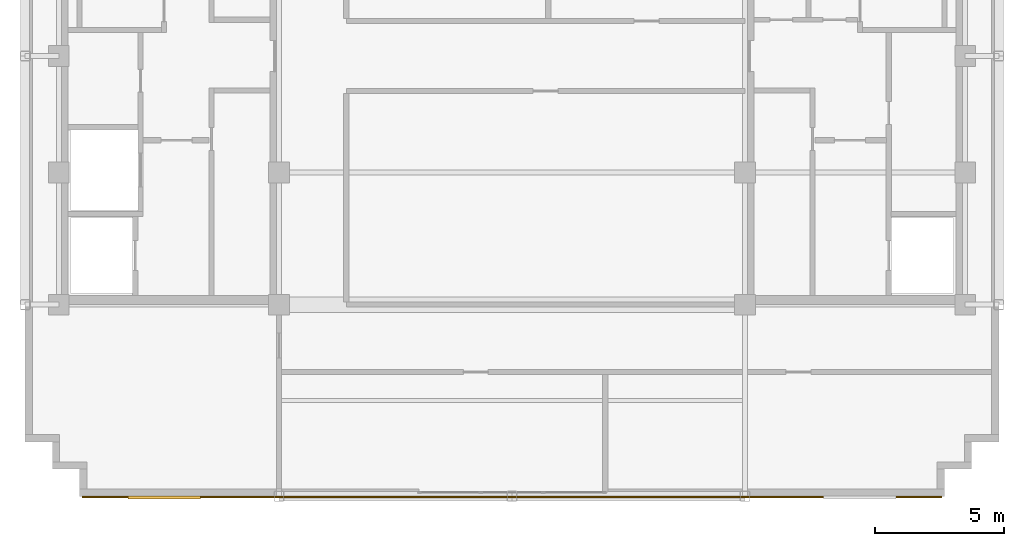
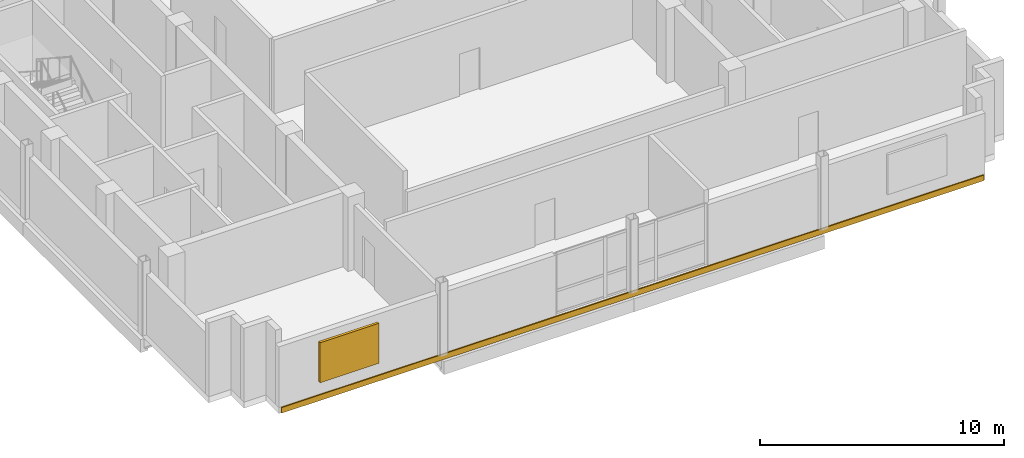
# One storey, part 7 of 10: 1 covering, 1 shading device.
"""IFC4 building model written with IfcOpenShell, lengths in metres."""

import ifcopenshell
import ifcopenshell.guid

model = None  # the IFC model being written
_history = None  # IfcOwnerHistory: only IFC2X3 demands one
_inside = {}  # id of a spatial element -> (the spatial element, [elements in it])
_under = {}  # id of a project, library or spatial element -> (it, [spatial elements below it])
_declared = {}  # id of a project -> (the project, [libraries it declares])
_typed = {}  # id of a type object -> (the type object, [elements of that type])
_made_of = {}  # id of a material, layer set ... -> (it, [elements and type objects made of it])


def new_model(schema):
    """Start an empty IFC model of exactly this schema.

    Asked for "IFC4X3", IfcOpenShell would pick the latest addendum, in which some entities
    have other attributes; the version numbers below select the first issue.
    IFC2X3 requires an IfcOwnerHistory on every rooted entity: one is made here for all.
    """
    global model, _history
    if schema == "IFC4X3":
        model = ifcopenshell.file(schema_version=(4, 3, 0, 0))
    else:
        model = ifcopenshell.file(schema=schema)
    _inside.clear()
    _under.clear()
    _declared.clear()
    _typed.clear()
    _made_of.clear()
    _history = None
    if model.schema == "IFC2X3":
        org = make("IfcOrganization", Name="unknown")
        user = make(
            "IfcPersonAndOrganization",
            ThePerson=make("IfcPerson", FamilyName="unknown"),
            TheOrganization=org,
        )
        app = make(
            "IfcApplication",
            ApplicationDeveloper=org,
            Version="unknown",
            ApplicationFullName="unknown",
            ApplicationIdentifier="unknown",
        )
        _history = make(
            "IfcOwnerHistory",
            OwningUser=user,
            OwningApplication=app,
            ChangeAction="ADDED",
            CreationDate=0,
        )
    return model


def make(cls, **values):
    """One entity of the class cls with the attributes given. An attribute that is None is left unset."""
    return model.create_entity(
        cls, **{name: value for name, value in values.items() if value is not None}
    )


def rooted(cls, **values):
    """An entity with a GlobalId (a new one), such as an element, a storey or a relation."""
    return make(cls, GlobalId=ifcopenshell.guid.new(), OwnerHistory=_history, **values)


def si_unit(unit_type, name, prefix=None):
    """IfcSIUnit, for example si_unit("LENGTHUNIT", "METRE", prefix="MILLI")."""
    return make("IfcSIUnit", UnitType=unit_type, Prefix=prefix, Name=name)


def assignment(units):
    """IfcUnitAssignment: the units of a project."""
    return None if units is None else make("IfcUnitAssignment", Units=units)


def point(xyz):
    """IfcCartesianPoint."""
    return None if xyz is None else make("IfcCartesianPoint", Coordinates=xyz)


def direction(xyz):
    """IfcDirection."""
    return None if xyz is None else make("IfcDirection", DirectionRatios=xyz)


def frame(location, z_axis=None, x_axis=None):
    """IfcAxis2Placement3D, a coordinate frame: its origin and axes. An axis left out is left unset."""
    return make(
        "IfcAxis2Placement3D",
        Location=point(location),
        Axis=direction(z_axis),
        RefDirection=direction(x_axis),
    )


def frame_2d(location, x_axis=None):
    """IfcAxis2Placement2D, a coordinate frame in the plane: its origin and x axis."""
    return make(
        "IfcAxis2Placement2D", Location=point(location), RefDirection=direction(x_axis)
    )


def origin():
    """The frame at (0, 0, 0) with its axes left unset."""
    return frame((0.0, 0.0, 0.0))


def origin_2d():
    """The frame at (0, 0) in the plane with its x axis left unset."""
    return frame_2d((0.0, 0.0))


def place(relative_to, where):
    """IfcLocalPlacement: puts the frame where relative to a parent placement (None: the world)."""
    return make(
        "IfcLocalPlacement", PlacementRelTo=relative_to, RelativePlacement=where
    )


def context(
    kind, dimensions, precision=None, world=None, true_north=None, identifier=None
):
    """IfcGeometricRepresentationContext, for example the 3D "Model" context."""
    return make(
        "IfcGeometricRepresentationContext",
        ContextIdentifier=identifier,
        ContextType=kind,
        CoordinateSpaceDimension=dimensions,
        Precision=precision,
        WorldCoordinateSystem=world,
        TrueNorth=true_north,
    )


def subcontext(parent, identifier, kind, view, scale=None):
    """IfcGeometricRepresentationSubContext, for example "Body" below "Model"."""
    return make(
        "IfcGeometricRepresentationSubContext",
        ContextIdentifier=identifier,
        ContextType=kind,
        ParentContext=parent,
        TargetScale=scale,
        TargetView=view,
    )


def project(units=None, contexts=None):
    """IfcProject with its units and contexts."""
    return rooted(
        "IfcProject",
        Name="project",
        RepresentationContexts=contexts,
        UnitsInContext=assignment(units),
    )


def spatial(cls, under=None, at=None, **own):
    """A site, building, storey or space (cls), placed at a placement, below another one or the project."""
    s = rooted(cls, ObjectPlacement=at, **own)
    if under is not None:
        _under.setdefault(under.id(), (under, []))[1].append(s)
    return s


def profile(cls, at=None, kind="AREA", **sizes):
    """A parametric profile (cls). Its sizes go by their IFC names, for example OverallWidth=200.0."""
    return make(cls, ProfileType=kind, Position=at, **sizes)


def rectangle(**sizes):
    """IfcRectangleProfileDef."""
    return profile("IfcRectangleProfileDef", **sizes)


def extrude(swept, where, along, depth):
    """IfcExtrudedAreaSolid: the profile swept, set in the frame where, extruded along a direction by depth."""
    return make(
        "IfcExtrudedAreaSolid",
        SweptArea=swept,
        Position=where,
        ExtrudedDirection=direction(along),
        Depth=depth,
    )


def shape(context_of_items, identifier, shape_type, items):
    """IfcShapeRepresentation: the items that make up one representation, for example the "Body"."""
    return make(
        "IfcShapeRepresentation",
        ContextOfItems=context_of_items,
        RepresentationIdentifier=identifier,
        RepresentationType=shape_type,
        Items=items,
    )


def source(mapping_origin, context_of_items, identifier, shape_type, items):
    """IfcRepresentationMap: a shape defined once, which mapped items show again and again."""
    return make(
        "IfcRepresentationMap",
        MappingOrigin=mapping_origin,
        MappedRepresentation=shape(context_of_items, identifier, shape_type, items),
    )


def transform(
    local_origin,
    x_axis=None,
    y_axis=None,
    z_axis=None,
    scale=None,
    scale2=None,
    scale3=None,
    uniform=True,
):
    """IfcCartesianTransformationOperator3D, or its non-uniform kind. x_axis, y_axis, z_axis: its Axis1, 2, 3."""
    if uniform:
        return make(
            "IfcCartesianTransformationOperator3D",
            Axis1=direction(x_axis),
            Axis2=direction(y_axis),
            LocalOrigin=point(local_origin),
            Scale=scale,
            Axis3=direction(z_axis),
        )
    return make(
        "IfcCartesianTransformationOperator3DnonUniform",
        Axis1=direction(x_axis),
        Axis2=direction(y_axis),
        LocalOrigin=point(local_origin),
        Scale=scale,
        Axis3=direction(z_axis),
        Scale2=scale2,
        Scale3=scale3,
    )


def mapped(mapping_source, mapping_target):
    """IfcMappedItem: shows the shape of a source again, moved by a transform."""
    return make(
        "IfcMappedItem", MappingSource=mapping_source, MappingTarget=mapping_target
    )


def material(Name=None, Category=None):
    """IfcMaterial."""
    return make("IfcMaterial", Name=Name, Category=Category)


def layer(
    of_material, thickness, ventilated=None, Name=None, Category=None, Priority=None
):
    """IfcMaterialLayer: one layer of a wall or slab, of a material (None: an air gap)."""
    return make(
        "IfcMaterialLayer",
        Material=of_material,
        LayerThickness=thickness,
        IsVentilated=ventilated,
        Name=Name,
        Category=Category,
        Priority=Priority,
    )


def layer_set(layers, Name=None):
    """IfcMaterialLayerSet."""
    return make("IfcMaterialLayerSet", MaterialLayers=layers, LayerSetName=Name)


def made_of(thing, what):
    """Note that an element or type object is made of a material, layer set ...; save() writes the relation."""
    if what is not None:
        _made_of.setdefault(what.id(), (what, []))[1].append(thing)
    return thing


def type_object(cls, material=None, **own):
    """A type object (cls), such as IfcWallType, which elements share."""
    return made_of(rooted(cls, **own), material)


def type_shapes(of_type, sources):
    """Give a type object the sources (RepresentationMaps) that its elements show as mapped items."""
    of_type.RepresentationMaps = sources


def element(
    cls,
    number,
    at=None,
    inside=None,
    cuts=None,
    type_object=None,
    material=None,
    context=None,
    identifier="Body",
    shape_type=None,
    held_by="IfcProductDefinitionShape",
    body=None,
    shapes=None,
    **own,
):
    """One element of the class cls, such as IfcWall. Its Tag is "e" and its number.

    at: its placement. inside: the storey or other place that contains it. cuts: it is an
    opening in that element (IfcRelVoidsElement). A single representation is given by context,
    identifier, shape_type and body (its items); several are given by shapes. held_by: the class
    of the entity that holds the representations. save() writes the other relations.
    """
    e = rooted(cls, Tag="e%d" % number, ObjectPlacement=at, **own)
    if body is not None:
        shapes = [shape(context, identifier, shape_type, body)]
    if shapes is not None:
        e.Representation = make(held_by, Representations=shapes)
    if inside is not None:
        _inside.setdefault(inside.id(), (inside, []))[1].append(e)
    if cuts is not None:
        rooted(
            "IfcRelVoidsElement", RelatingBuildingElement=cuts, RelatedOpeningElement=e
        )
    if type_object is not None:
        _typed.setdefault(type_object.id(), (type_object, []))[1].append(e)
    return made_of(e, material)


def aggregate(whole, parts):
    """IfcRelAggregates: a whole, such as a stair, and the parts it consists of."""
    return rooted("IfcRelAggregates", RelatingObject=whole, RelatedObjects=parts)


def save(model, path):
    """Write the relations noted so far, then the file.

    IfcRelAggregates (storeys below a building ...), IfcRelContainedInSpatialStructure (elements
    in a storey), IfcRelDefinesByType, IfcRelAssociatesMaterial and IfcRelDeclares: one each for
    every whole, place, type object, material and project.
    """
    for whole, parts in _under.values():
        aggregate(whole, parts)
    for where, things in _inside.values():
        rooted(
            "IfcRelContainedInSpatialStructure",
            RelatedElements=things,
            RelatingStructure=where,
        )
    for kind, things in _typed.values():
        rooted("IfcRelDefinesByType", RelatedObjects=things, RelatingType=kind)
    for what, things in _made_of.values():
        rooted("IfcRelAssociatesMaterial", RelatedObjects=things, RelatingMaterial=what)
    for by, libraries in _declared.values():
        rooted("IfcRelDeclares", RelatingContext=by, RelatedDefinitions=libraries)
    model.write(path)


model = new_model("IFC4")

# Units and contexts
model_context = context("Model", 3, precision=1e-05, world=origin(), true_north=direction((0.0, 1.0)))
body_context = subcontext(model_context, "Body", "Model", "MODEL_VIEW")
ifc_project = project(units=[si_unit("LENGTHUNIT", "METRE"), si_unit("AREAUNIT", "SQUARE_METRE"), si_unit("VOLUMEUNIT", "CUBIC_METRE"), si_unit("PLANEANGLEUNIT", "RADIAN"), si_unit("MASSUNIT", "GRAM", prefix="KILO")], contexts=[model_context])

# Site, building, storey
site_placement = place(None, origin())
site = spatial("IfcSite", under=ifc_project, at=site_placement, CompositionType="ELEMENT")
building_placement = place(site_placement, origin())
building = spatial("IfcBuilding", under=site, at=building_placement, Name="Nuvemarco Arch Tower", CompositionType="ELEMENT")
storey_placement = place(building_placement, frame((0.0, 0.0, 295.14990234375)))
storey = spatial("IfcBuildingStorey", under=building, at=storey_placement, Name="L78", CompositionType="ELEMENT", Elevation=295.14990234375)

# Shading device
ifc_material_1 = material(Name="Anodised aluminium 6063-T6", Category="aluminium")
shading_device_type = type_object("IfcShadingDeviceType", Name="SHD-LOUVRE-PLANT", PredefinedType="JALOUSIE", material=ifc_material_1)
shared_shape_1 = source(origin(), body_context, "Body", "SweptSolid", [
    extrude(rectangle(XDim=2.800048828125, YDim=0.1201171875, at=origin_2d()), origin(), (0.0, 0.0, 1.0), 2.0),
])
type_shapes(shading_device_type, [shared_shape_1])
shading_device_placement = place(storey_placement, frame((-13.425048828125, -17.054931640625, 0.650146484375), z_axis=(0.0, 0.0, 1.0), x_axis=(1.0, 0.0, 0.0)))
element("IfcShadingDevice", 1, at=shading_device_placement, inside=storey, type_object=shading_device_type, Name="L78 acoustic plant louvre panel 1", PredefinedType="JALOUSIE", context=body_context, shape_type="MappedRepresentation", body=[
    mapped(shared_shape_1, transform((0.0, 0.0, 0.0), scale=1.0)),
])

# Covering
ifc_material_2 = material(Name="Precast concrete C45/55", Category="concrete")
ifc_layer = layer(ifc_material_2, 0.06005859375, Name="COV-SPANDREL-CLAD")
ifc_layer_set = layer_set([ifc_layer], Name="Precast concrete C45/55")
covering_type = type_object("IfcCoveringType", Name="COV-SPANDREL-CLAD", PredefinedType="CLADDING", material=ifc_layer_set)
shared_shape_2 = source(origin(), body_context, "Body", "SweptSolid", [
    extrude(rectangle(XDim=33.199951171875, YDim=0.06005859375, at=origin_2d()), origin(), (0.0, 0.0, 1.0), 0.280029296875),
])
type_shapes(covering_type, [shared_shape_2])
covering_placement = place(storey_placement, frame((0.0, -17.029052734375, -0.27978515625), z_axis=(0.0, 0.0, 1.0), x_axis=(1.0, 0.0, 0.0)))
element("IfcCovering", 2, at=covering_placement, inside=storey, type_object=covering_type, Name="L78 precast spandrel edge cladding south", PredefinedType="CLADDING", context=body_context, shape_type="MappedRepresentation", body=[
    mapped(shared_shape_2, transform((0.0, 0.0, 0.0), scale=1.0)),
])

save(model, "model.ifc")
